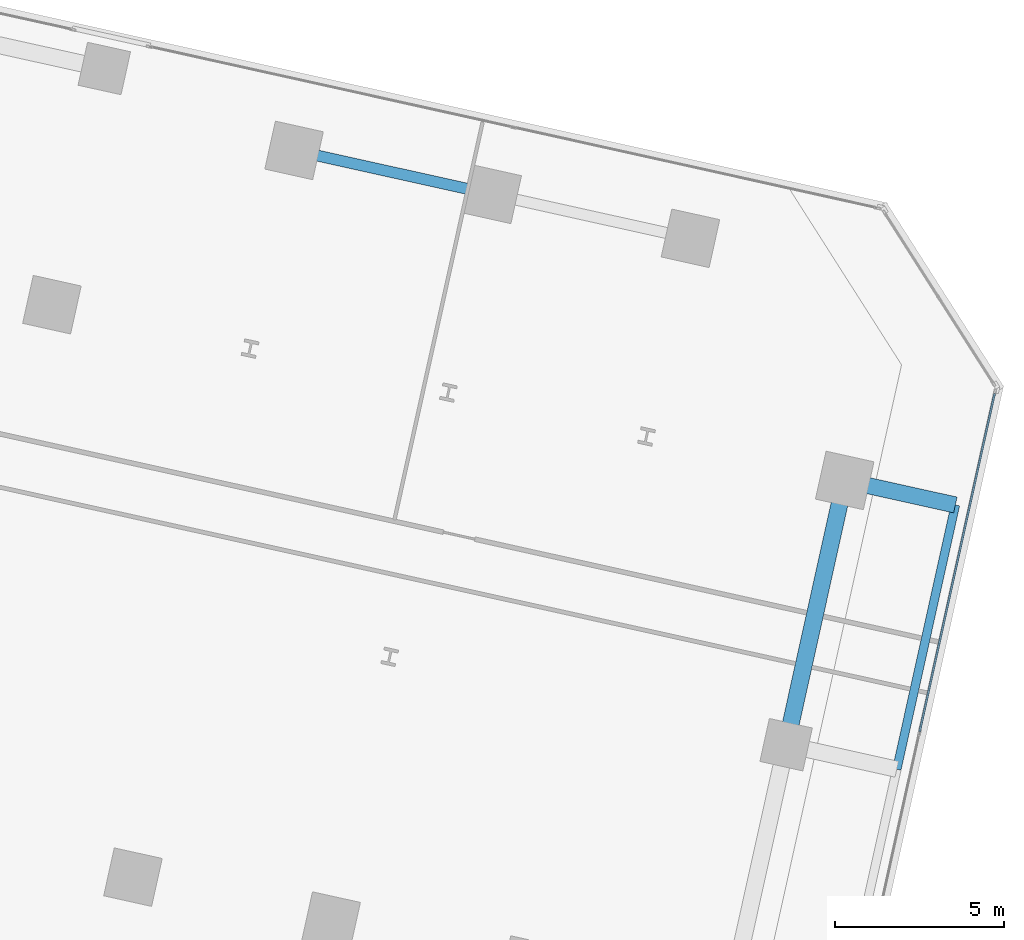
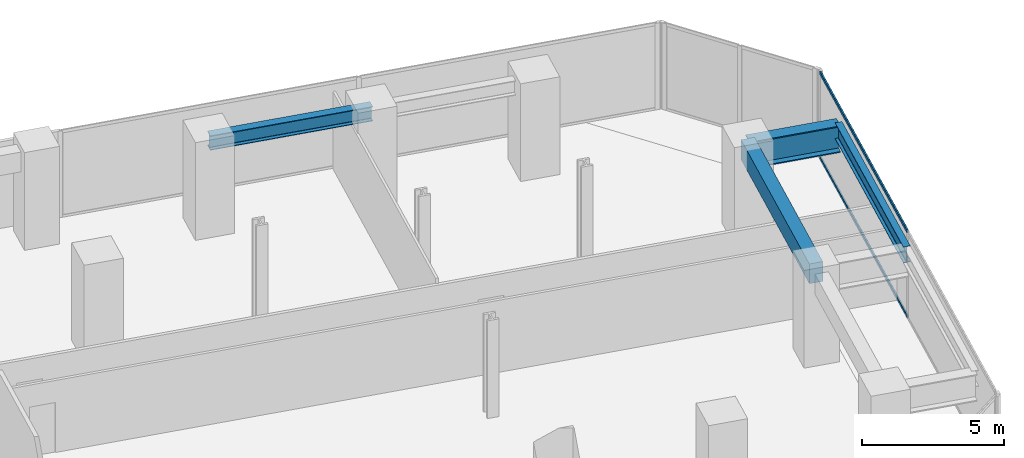
# One storey, part 11 of 25: 4 beams, 2 members, 1 element without a shape of its own.
"""IFC4 building model written with IfcOpenShell, lengths in metres."""

from ifc_helpers import new_model, si_unit, direction, frame, origin, origin_2d, place, context, subcontext, project, spatial, rectangle, hollow_rectangle, i_section, extrude, source, transform, mapped, material, material_profile, profile_set, type_object, element, aggregate, save


model = new_model("IFC4")

# Units and contexts
model_context = context("Model", 3, precision=1e-05, world=origin(), true_north=direction((0.0, 1.0)))
body_context = subcontext(model_context, "Body", "Model", "MODEL_VIEW")
ifc_project = project(units=[si_unit("LENGTHUNIT", "METRE"), si_unit("AREAUNIT", "SQUARE_METRE"), si_unit("VOLUMEUNIT", "CUBIC_METRE"), si_unit("PLANEANGLEUNIT", "RADIAN"), si_unit("MASSUNIT", "GRAM", prefix="KILO")], contexts=[model_context])

# Site, building, storey
site_placement = place(None, origin())
site = spatial("IfcSite", under=ifc_project, at=site_placement, CompositionType="ELEMENT")
building_placement = place(site_placement, origin())
building = spatial("IfcBuilding", under=site, at=building_placement, Name="Torre Montelarca", CompositionType="ELEMENT")
storey_placement = place(building_placement, frame((0.0, 0.0, 87.39990234375)))
storey = spatial("IfcBuildingStorey", under=building, at=storey_placement, Name="L19", CompositionType="ELEMENT", Elevation=87.39990234375)

# Beams
ifc_material_1 = material(Name="Steel ASTM A992 Grade 50", Category="steel")
ifc_material_profile_1 = material_profile(ifc_material_1, i_section(OverallWidth=0.326904296875, OverallDepth=0.6220703125, WebThickness=0.015380859375, FlangeThickness=0.0244140625, FilletRadius=0.014892578125, at=origin_2d()), Name="W610X195", Category="steel")
ifc_profile_set_1 = profile_set([ifc_material_profile_1], Name="Steel ASTM A992 Grade 50")
beam_type_1 = type_object("IfcBeamType", Name="BM-G-W610H", PredefinedType="BEAM", material=ifc_profile_set_1)
shared_shape_1 = source(origin(), body_context, "Body", "SweptSolid", [
    extrude(i_section(OverallWidth=0.326904296875, OverallDepth=0.6220703125, WebThickness=0.015380859375, FlangeThickness=0.0244140625, FilletRadius=0.014892578125, at=origin_2d()), origin(), (0.0, 0.0, 1.0), 6.0),
])
beam_1_placement = place(storey_placement, frame((44.544189453125, 41.231201171875, 3.649169921875), z_axis=(0.976298945278, -0.216426360337, 0.0), x_axis=(0.216426360337, 0.976298945278, 0.0)))
element("IfcBeam", 1, at=beam_1_placement, inside=storey, type_object=beam_type_1, Name="L19 Grid Girder X 42.0-48.0 at Y=46.0", PredefinedType="BEAM", context=body_context, shape_type="MappedRepresentation", body=[
    mapped(shared_shape_1, transform((0.0, 0.0, 0.0), scale=1.0)),
])
ifc_material_2 = material(Name="Concrete C55/67", Category="concrete")
ifc_material_profile_2 = material_profile(ifc_material_2, rectangle(XDim=0.5, YDim=0.85009765625, at=origin_2d()), Name="RCB500X850", Category="concrete")
ifc_profile_set_2 = profile_set([ifc_material_profile_2], Name="Concrete C55/67")
beam_type_2 = type_object("IfcBeamType", Name="BM-SP-RC850-EXT", PredefinedType="SPANDREL", material=ifc_profile_set_2)
shared_shape_2 = source(origin(), body_context, "Body", "SweptSolid", [
    extrude(rectangle(XDim=0.5, YDim=0.85009765625, at=origin_2d()), origin(), (0.0, 0.0, 1.0), 8.0),
])
beam_2_placement = place(storey_placement, frame((59.08740234375, 23.6669921875, 3.53515625), z_axis=(0.216432808664, 0.976297515788, 0.0), x_axis=(-0.976297515788, 0.216432808664, 0.0)))
element("IfcBeam", 2, at=beam_2_placement, inside=storey, type_object=beam_type_2, Name="L19 Grid Girder Y 32.0-40.0 at X=60.0", PredefinedType="SPANDREL", context=body_context, shape_type="MappedRepresentation", body=[
    mapped(shared_shape_2, transform((0.0, 0.0, 0.0), scale=1.0)),
])
ifc_material_3 = material(Name="Steel ASTM A572 Grade 50", Category="steel")
ifc_material_profile_3 = material_profile(ifc_material_3, i_section(OverallWidth=0.47998046875, OverallDepth=1.14990234375, WebThickness=0.02197265625, FlangeThickness=0.044921875, at=origin_2d()), Name="PG1150X480X22X45", Category="steel")
ifc_profile_set_3 = profile_set([ifc_material_profile_3], Name="Steel ASTM A572 Grade 50")
beam_type_3 = type_object("IfcBeamType", Name="BM-CG-PG1400-EXT", PredefinedType="USERDEFINED", material=ifc_profile_set_3)
shared_shape_3 = source(origin(), body_context, "Body", "SweptSolid", [
    extrude(i_section(OverallWidth=0.47998046875, OverallDepth=1.14990234375, WebThickness=0.02197265625, FlangeThickness=0.044921875, at=origin_2d()), origin(), (0.0, 0.0, 1.0), 3.35009765625),
])
beam_3_placement = place(storey_placement, frame((60.81884765625, 31.477294921875, 3.385009765625), z_axis=(0.976312071929, -0.216367137535, 0.0), x_axis=(0.216367137535, 0.976312071929, 0.0)))
element("IfcBeam", 3, at=beam_3_placement, inside=storey, type_object=beam_type_3, Name="L19 Sliding Tray Cantilever Girder East Y=40m (FLR)", ObjectType="CANTILEVER GIRDER", PredefinedType="USERDEFINED", context=body_context, shape_type="MappedRepresentation", body=[
    mapped(shared_shape_3, transform((0.0, 0.0, 0.0), scale=1.0)),
])
ifc_material_profile_4 = material_profile(ifc_material_1, i_section(OverallWidth=0.256103515625, OverallDepth=0.693115234375, WebThickness=0.014404296875, FlangeThickness=0.023681640625, FilletRadius=0.01806640625, at=origin_2d()), Name="W690X170", Category="steel")
ifc_profile_set_4 = profile_set([ifc_material_profile_4], Name="Steel ASTM A992 Grade 50")
beam_type_4 = type_object("IfcBeamType", Name="BM-G-W690-EXT", PredefinedType="BEAM", material=ifc_profile_set_4)
shared_shape_4 = source(origin(), body_context, "Body", "SweptSolid", [
    extrude(i_section(OverallWidth=0.256103515625, OverallDepth=0.693115234375, WebThickness=0.014404296875, FlangeThickness=0.023681640625, FilletRadius=0.01806640625, at=origin_2d()), origin(), (0.0, 0.0, 1.0), 8.000244140625),
])
beam_4_placement = place(storey_placement, frame((62.35791015625, 22.94189453125, 3.614013671875), z_axis=(0.216455447594, 0.976292496748, 0.0), x_axis=(-0.976292496748, 0.216455447594, 0.0)))
element("IfcBeam", 4, at=beam_4_placement, inside=storey, type_object=beam_type_4, Name="L19 Sliding Tray Edge Girder East 32-40m (FLR)", PredefinedType="BEAM", context=body_context, shape_type="MappedRepresentation", body=[
    mapped(shared_shape_4, transform((0.0, 0.0, 0.0), scale=1.0)),
])

# Curtain wall, members
ifc_material_4 = material(Name="Insulated low-E laminated glass", Category="glass")
curtain_wall_type = type_object("IfcCurtainWallType", Name="CW-SYS-Z1", PredefinedType="USERDEFINED", material=ifc_material_4)
curtain_wall_placement = place(storey_placement, origin())
curtain_wall = element("IfcCurtainWall", 5, at=curtain_wall_placement, inside=storey, type_object=curtain_wall_type, Name="L19 Curtain Wall Run CW-T3-L19-E06-B1", ObjectType="UNITISED GLAZING", PredefinedType="USERDEFINED")
ifc_material_5 = material(Name="Anodised aluminium AA 6063-T6", Category="aluminium")
ifc_material_profile_5 = material_profile(ifc_material_5, hollow_rectangle(XDim=0.06494140625, YDim=0.139892578125, WallThickness=0.00390625, InnerFilletRadius=0.00390625, OuterFilletRadius=0.008056640625, at=origin_2d()), Name="ALU65X140X4", Category="aluminium")
ifc_profile_set_5 = profile_set([ifc_material_profile_5], Name="Anodised aluminium AA 6063-T6")
member_type = type_object("IfcMemberType", Name="CWT-ALU140", PredefinedType="USERDEFINED", material=ifc_profile_set_5)
shared_shape_5 = source(origin(), body_context, "Body", "SweptSolid", [
    extrude(hollow_rectangle(XDim=0.06494140625, YDim=0.139892578125, WallThickness=0.00390625, InnerFilletRadius=0.00390625, OuterFilletRadius=0.008056640625, at=origin_2d()), origin(), (0.0, 0.0, 1.0), 10.236572265625),
])
member_1_placement = place(storey_placement, frame((63.03466796875, 24.054443359375, 0.03271484375), z_axis=(0.216460732055, 0.976291325107, 0.0), x_axis=(-0.976291325107, 0.216460732055, 0.0)))
member_1 = element("IfcMember", 6, at=member_1_placement, type_object=member_type, Name="CW transom 2.1", ObjectType="TRANSOM", PredefinedType="USERDEFINED", context=body_context, shape_type="MappedRepresentation", body=[
    mapped(shared_shape_5, transform((0.0, 0.0, 0.0), scale=1.0)),
])
member_2_placement = place(storey_placement, frame((63.03466796875, 24.054443359375, 3.6875), z_axis=(0.216460732055, 0.976291325107, 0.0), x_axis=(-0.976291325107, 0.216460732055, 0.0)))
member_2 = element("IfcMember", 7, at=member_2_placement, type_object=member_type, Name="CW transom 2.2", ObjectType="TRANSOM", PredefinedType="USERDEFINED", context=body_context, shape_type="MappedRepresentation", body=[
    mapped(shared_shape_5, transform((0.0, 0.0, 0.0), scale=1.0)),
])
aggregate(curtain_wall, [member_1, member_2])

save(model, "model.ifc")
